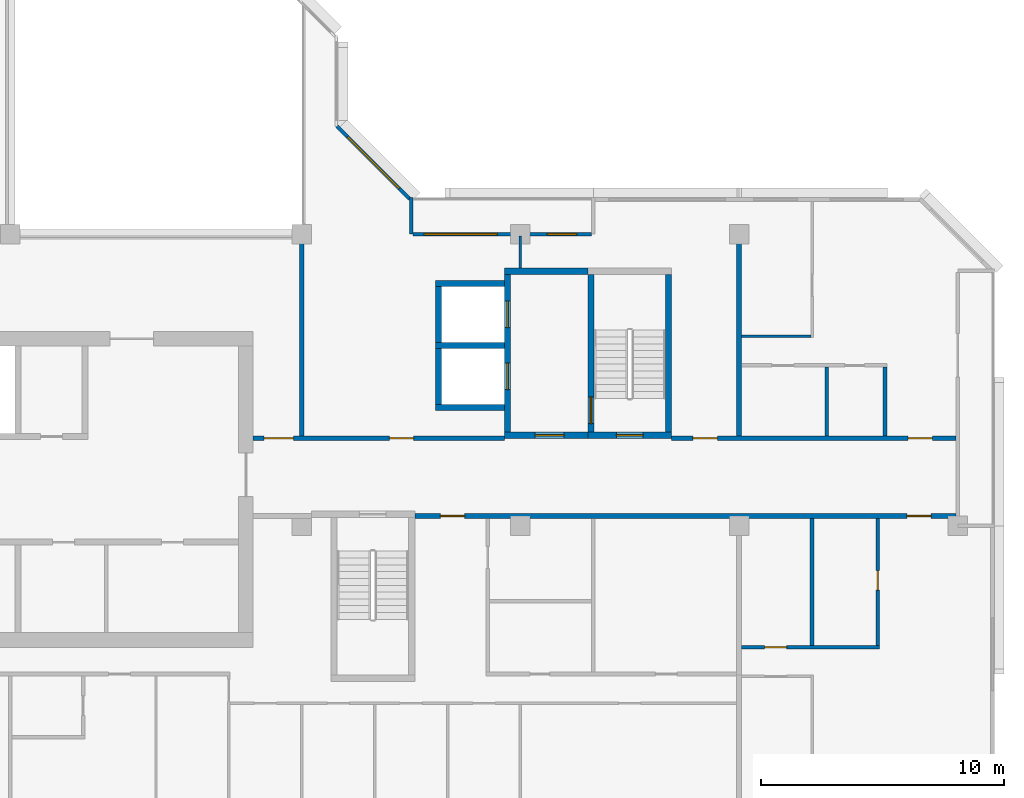
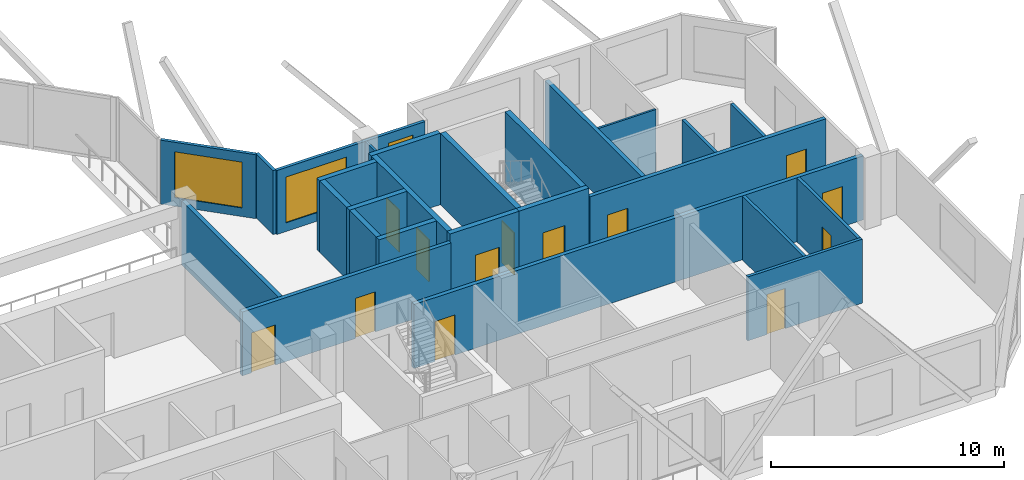
# One storey, part 7 of 13: 26 walls, 13 doors, 3 windows, 16 openings.
"""IFC4 building model written with IfcOpenShell, lengths in metres."""

from ifc_helpers import new_model, si_unit, direction, frame, frame_2d, origin, place, context, subcontext, project, spatial, rectangle, extrude, material, layer, layer_set, type_object, element, fill, save


model = new_model("IFC4")

# Units and contexts
model_context = context("Model", 3, precision=1e-05, world=origin(), true_north=direction((0.0, 1.0)))
body_context = subcontext(model_context, "Body", "Model", "MODEL_VIEW")
ifc_project = project(units=[si_unit("LENGTHUNIT", "METRE"), si_unit("AREAUNIT", "SQUARE_METRE"), si_unit("VOLUMEUNIT", "CUBIC_METRE"), si_unit("PLANEANGLEUNIT", "RADIAN"), si_unit("MASSUNIT", "GRAM", prefix="KILO")], contexts=[model_context])

# Site, building, storey
site_placement = place(None, origin())
site = spatial("IfcSite", under=ifc_project, at=site_placement, CompositionType="ELEMENT")
building_placement = place(site_placement, origin())
building = spatial("IfcBuilding", under=site, at=building_placement, Name="Chenar Terraces", CompositionType="ELEMENT")
storey_placement = place(building_placement, frame((0.0, 0.0, 295.89990234375)))
storey = spatial("IfcBuildingStorey", under=building, at=storey_placement, Name="L69", CompositionType="ELEMENT", Elevation=295.89990234375)

# Wall, opening, door
ifc_material_1 = material(Name="Concrete C50/60", Category="concrete")
ifc_layer_1 = layer(ifc_material_1, 0.25)
ifc_layer_set_1 = layer_set([ifc_layer_1], Name="Concrete C50/60")
wall_type_1 = type_object("IfcWallType", Name="Core wall 250 Concrete C50/60", PredefinedType="SHEAR", material=ifc_layer_set_1)
wall_1_placement = place(storey_placement, frame((47.77490234375, 15.72509765625, 0.0), z_axis=(0.0, 0.0, 1.0), x_axis=(1.0, 0.0, 0.0)))
wall_1 = element("IfcWall", 1, at=wall_1_placement, inside=storey, type_object=wall_type_1, Name="Core wall ST3_S L69", PredefinedType="SHEAR", context=body_context, shape_type="SweptSolid", body=[
    extrude(rectangle(XDim=3.4501953125, YDim=0.25, at=frame_2d((1.72509765625, 0.0))), origin(), (0.0, 0.0, 1.0), 3.75),
])
opening_1_placement = place(wall_1_placement, frame((1.175048828125, 0.0, 0.0)))
opening_1 = element("IfcOpeningElement", 2, at=opening_1_placement, cuts=wall_1, Name="Opening DL69-C8", PredefinedType="OPENING", context=body_context, shape_type="SweptSolid", body=[
    extrude(rectangle(XDim=1.10009765625, YDim=2.199951171875, at=frame_2d((0.550048828125, 1.10009765625))), frame((0.0, 0.135009765625, 0.0), z_axis=(0.0, -1.0, 0.0), x_axis=(1.0, 0.0, 0.0)), (0.0, 0.0, 1.0), 0.27001953125),
])
ifc_material_2 = material(Name="Steel-framed fire-resisting door leaf", Category="steel")
door_type_1 = type_object("IfcDoorType", Name="Stair fire door FD60 1100 x 2200", OperationType="SINGLE_SWING_LEFT", PredefinedType="DOOR", material=ifc_material_2)
door_1_placement = place(opening_1_placement, frame((1.10009765625, 0.0, 0.0), z_axis=(0.0, 0.0, 1.0), x_axis=(-1.0, 0.0, 0.0)))
door_1 = element("IfcDoor", 3, at=door_1_placement, inside=storey, type_object=door_type_1, Name="Stair door DL69-C8", OperationType="SINGLE_SWING_LEFT", OverallHeight=2.199951171875, OverallWidth=1.10009765625, PredefinedType="DOOR", context=body_context, shape_type="SweptSolid", body=[
    extrude(rectangle(XDim=1.10009765625, YDim=2.199951171875, at=frame_2d((0.550048828125, 1.10009765625))), frame((0.0, 0.02490234375, 0.0), z_axis=(0.0, -1.0, 0.0), x_axis=(1.0, 0.0, 0.0)), (0.0, 0.0, 1.0), 0.050048828125),
])
fill(opening_1, door_1)

wall_2_placement = place(storey_placement, frame((47.89990234375, 15.85009765625, 0.0), z_axis=(0.0, 0.0, 1.0), x_axis=(0.0, 1.0, 0.0)))
wall_2 = element("IfcWall", 4, at=wall_2_placement, inside=storey, type_object=wall_type_1, Name="Core wall ST3_W L69", PredefinedType="SHEAR", context=body_context, shape_type="SweptSolid", body=[
    extrude(rectangle(XDim=6.5, YDim=0.25, at=frame_2d((3.25, 0.0))), origin(), (0.0, 0.0, 1.0), 3.75),
])
opening_2_placement = place(wall_2_placement, frame((0.35009765625, 0.0, 0.0)))
opening_2 = element("IfcOpeningElement", 5, at=opening_2_placement, cuts=wall_2, Name="Opening DL69-C11", PredefinedType="OPENING", context=body_context, shape_type="SweptSolid", body=[
    extrude(rectangle(XDim=1.10009765625, YDim=2.199951171875, at=frame_2d((0.550048828125, 1.10009765625))), frame((0.0, 0.135009765625, 0.0), z_axis=(0.0, -1.0, 0.0), x_axis=(1.0, 0.0, 0.0)), (0.0, 0.0, 1.0), 0.27001953125),
])
door_2_placement = place(opening_2_placement, frame((1.10009765625, 0.0, 0.0), z_axis=(0.0, 0.0, 1.0), x_axis=(-1.0, 0.0, 0.0)))
door_2 = element("IfcDoor", 6, at=door_2_placement, inside=storey, type_object=door_type_1, Name="Stair door DL69-C11", OperationType="SINGLE_SWING_RIGHT", OverallHeight=2.199951171875, OverallWidth=1.10009765625, PredefinedType="DOOR", context=body_context, shape_type="SweptSolid", body=[
    extrude(rectangle(XDim=1.10009765625, YDim=2.199951171875, at=frame_2d((0.550048828125, 1.10009765625))), frame((0.0, 0.02490234375, 0.0), z_axis=(0.0, -1.0, 0.0), x_axis=(1.0, 0.0, 0.0)), (0.0, 0.0, 1.0), 0.050048828125),
])
fill(opening_2, door_2)

# Wall
wall_3_placement = place(storey_placement, frame((51.10009765625, 15.85009765625, 0.0), z_axis=(0.0, 0.0, 1.0), x_axis=(0.0, 1.0, 0.0)))
element("IfcWall", 7, at=wall_3_placement, inside=storey, type_object=wall_type_1, Name="Core wall ST3_E L69", PredefinedType="SHEAR", context=body_context, shape_type="SweptSolid", body=[
    extrude(rectangle(XDim=6.5, YDim=0.25, at=frame_2d((3.25, 0.0))), origin(), (0.0, 0.0, 1.0), 3.75),
])

# Wall, opening, door
wall_4_placement = place(storey_placement, frame((44.35009765625, 15.72509765625, 0.0), z_axis=(0.0, 0.0, 1.0), x_axis=(1.0, 0.0, 0.0)))
wall_4 = element("IfcWall", 8, at=wall_4_placement, inside=storey, type_object=wall_type_1, Name="Core wall F3_LS L69", PredefinedType="SHEAR", context=body_context, shape_type="SweptSolid", body=[
    extrude(rectangle(XDim=3.4248046875, YDim=0.25, at=frame_2d((1.71240234375, 0.0))), origin(), (0.0, 0.0, 1.0), 3.75),
])
opening_3_placement = place(wall_4_placement, frame((1.25, 0.0, 0.0)))
opening_3 = element("IfcOpeningElement", 9, at=opening_3_placement, cuts=wall_4, Name="Opening DL69-C10", PredefinedType="OPENING", context=body_context, shape_type="SweptSolid", body=[
    extrude(rectangle(XDim=1.199951171875, YDim=2.199951171875, at=frame_2d((0.60009765625, 1.10009765625))), frame((0.0, 0.135009765625, 0.0), z_axis=(0.0, -1.0, 0.0), x_axis=(1.0, 0.0, 0.0)), (0.0, 0.0, 1.0), 0.27001953125),
])
ifc_material_3 = material(Name="Steel-framed fire-resisting door leaf", Category="steel")
door_type_2 = type_object("IfcDoorType", Name="Lobby fire door FD60 1200 x 2200", OperationType="SINGLE_SWING_LEFT", PredefinedType="DOOR", material=ifc_material_3)
door_3_placement = place(opening_3_placement, origin())
door_3 = element("IfcDoor", 10, at=door_3_placement, inside=storey, type_object=door_type_2, Name="Core door DL69-C10", OperationType="SINGLE_SWING_RIGHT", OverallHeight=2.199951171875, OverallWidth=1.199951171875, PredefinedType="DOOR", context=body_context, shape_type="SweptSolid", body=[
    extrude(rectangle(XDim=1.199951171875, YDim=2.199951171875, at=frame_2d((0.60009765625, 1.10009765625))), frame((0.0, 0.02490234375, 0.0), z_axis=(0.0, -1.0, 0.0), x_axis=(1.0, 0.0, 0.0)), (0.0, 0.0, 1.0), 0.050048828125),
])
fill(opening_3, door_3)

# Wall
wall_5_placement = place(storey_placement, frame((44.35009765625, 22.47509765625, 0.0), z_axis=(0.0, 0.0, 1.0), x_axis=(1.0, 0.0, 0.0)))
element("IfcWall", 11, at=wall_5_placement, inside=storey, type_object=wall_type_1, Name="Core wall F3_LN L69", PredefinedType="SHEAR", context=body_context, shape_type="SweptSolid", body=[
    extrude(rectangle(XDim=3.4248046875, YDim=0.25, at=frame_2d((1.71240234375, 0.0))), origin(), (0.0, 0.0, 1.0), 3.75),
])

# Wall, openings, doors
wall_6_placement = place(storey_placement, frame((44.47509765625, 15.85009765625, 0.0), z_axis=(0.0, 0.0, 1.0), x_axis=(0.0, 1.0, 0.0)))
wall_6 = element("IfcWall", 12, at=wall_6_placement, inside=storey, type_object=wall_type_1, Name="Core wall F3_LW L69", PredefinedType="SHEAR", context=body_context, shape_type="SweptSolid", body=[
    extrude(rectangle(XDim=6.5, YDim=0.25, at=frame_2d((3.25, 0.0))), origin(), (0.0, 0.0, 1.0), 3.75),
])
opening_4_placement = place(wall_6_placement, frame((1.75, 0.0, 0.0)))
opening_4 = element("IfcOpeningElement", 13, at=opening_4_placement, cuts=wall_6, Name="Opening DL69-LD8", PredefinedType="OPENING", context=body_context, shape_type="SweptSolid", body=[
    extrude(rectangle(XDim=1.10009765625, YDim=2.199951171875, at=frame_2d((0.550048828125, 1.10009765625))), frame((0.0, 0.135009765625, 0.0), z_axis=(0.0, -1.0, 0.0), x_axis=(1.0, 0.0, 0.0)), (0.0, 0.0, 1.0), 0.27001953125),
])
opening_5_placement = place(wall_6_placement, frame((4.300048828125, 0.0, 0.0)))
opening_5 = element("IfcOpeningElement", 14, at=opening_5_placement, cuts=wall_6, Name="Opening DL69-LD9", PredefinedType="OPENING", context=body_context, shape_type="SweptSolid", body=[
    extrude(rectangle(XDim=1.10009765625, YDim=2.199951171875, at=frame_2d((0.550048828125, 1.10009765625))), frame((0.0, 0.135009765625, 0.0), z_axis=(0.0, -1.0, 0.0), x_axis=(1.0, 0.0, 0.0)), (0.0, 0.0, 1.0), 0.27001953125),
])
ifc_material_4 = material(Name="Stainless steel", Category="steel")
door_type_3 = type_object("IfcDoorType", Name="Lift landing door 1100 x 2200 sliding", OperationType="DOUBLE_DOOR_SLIDING", PredefinedType="DOOR", material=ifc_material_4)
door_4_placement = place(opening_4_placement, origin())
door_4 = element("IfcDoor", 15, at=door_4_placement, inside=storey, type_object=door_type_3, Name="Landing door F3", OperationType="DOUBLE_DOOR_SLIDING", OverallHeight=2.199951171875, OverallWidth=1.10009765625, PredefinedType="DOOR", context=body_context, shape_type="SweptSolid", body=[
    extrude(rectangle(XDim=1.10009765625, YDim=2.199951171875, at=frame_2d((0.550048828125, 1.10009765625))), frame((0.0, 0.02490234375, 0.0), z_axis=(0.0, -1.0, 0.0), x_axis=(1.0, 0.0, 0.0)), (0.0, 0.0, 1.0), 0.050048828125),
])
fill(opening_4, door_4)
door_5_placement = place(opening_5_placement, origin())
door_5 = element("IfcDoor", 16, at=door_5_placement, inside=storey, type_object=door_type_3, Name="Landing door F4", OperationType="DOUBLE_DOOR_SLIDING", OverallHeight=2.199951171875, OverallWidth=1.10009765625, PredefinedType="DOOR", context=body_context, shape_type="SweptSolid", body=[
    extrude(rectangle(XDim=1.10009765625, YDim=2.199951171875, at=frame_2d((0.550048828125, 1.10009765625))), frame((0.0, 0.02490234375, 0.0), z_axis=(0.0, -1.0, 0.0), x_axis=(1.0, 0.0, 0.0)), (0.0, 0.0, 1.0), 0.050048828125),
])
fill(opening_5, door_5)

# Walls
for number, where, z_axis, x_axis, name in (
    (17, (41.5, 16.875, 0.0), (0.0, 0.0, 1.0), (1.0, 0.0, 0.0), "Core wall F3_SS L69"),
    (18, (41.5, 19.425048828125, 0.0), (0.0, 0.0, 1.0), (1.0, 0.0, 0.0), "Core wall F3_SM L69"),
    (19, (41.5, 21.97509765625, 0.0), (0.0, 0.0, 1.0), (1.0, 0.0, 0.0), "Core wall F4_SN L69"),
):
    element("IfcWall", number, at=place(storey_placement, frame(where, z_axis=z_axis, x_axis=x_axis)), inside=storey, type_object=wall_type_1, Name=name, PredefinedType="SHEAR", context=body_context, shape_type="SweptSolid", body=[
        extrude(rectangle(XDim=2.85009765625, YDim=0.25, at=frame_2d((1.425048828125, 0.0))), origin(), (0.0, 0.0, 1.0), 3.75),
    ])
for number, where, z_axis, x_axis, name in (
    (20, (41.625, 17.0, 0.0), (0.0, 0.0, 1.0), (0.0, 1.0, 0.0), "Core wall F3_SW L69"),
    (21, (41.625, 19.550048828125, 0.0), (0.0, 0.0, 1.0), (0.0, 1.0, 0.0), "Core wall F4_SW L69"),
):
    element("IfcWall", number, at=place(storey_placement, frame(where, z_axis=z_axis, x_axis=x_axis)), inside=storey, type_object=wall_type_1, Name=name, PredefinedType="SHEAR", context=body_context, shape_type="SweptSolid", body=[
        extrude(rectangle(XDim=2.300048828125, YDim=0.25, at=frame_2d((1.14990234375, 0.0))), origin(), (0.0, 0.0, 1.0), 3.75),
    ])

# Wall, openings, doors
ifc_material_5 = material(Name="Gypsum board on steel studs with fire boards", Category="steel")
ifc_layer_2 = layer(ifc_material_5, 0.199951171875)
ifc_layer_set_2 = layer_set([ifc_layer_2], Name="Gypsum board on steel studs with fire boards")
wall_type_2 = type_object("IfcWallType", Name="Corridor wall 200", PredefinedType="PARTITIONING", material=ifc_layer_set_2)
wall_7_placement = place(storey_placement, frame((34.0, 15.60009765625, 0.0), z_axis=(0.0, 0.0, 1.0), x_axis=(1.0, 0.0, 0.0)))
wall_7 = element("IfcWall", 22, at=wall_7_placement, inside=storey, type_object=wall_type_2, Name="Partition L69-052", PredefinedType="PARTITIONING", context=body_context, shape_type="SweptSolid", body=[
    extrude(rectangle(XDim=10.35009765625, YDim=0.199951171875, at=frame_2d((5.175048828125, 0.0))), origin(), (0.0, 0.0, 1.0), 3.35009765625),
])
opening_6_placement = place(wall_7_placement, frame((5.60009765625, 0.0, 0.0)))
opening_6 = element("IfcOpeningElement", 23, at=opening_6_placement, cuts=wall_7, Name="Opening DL69-3", PredefinedType="OPENING", context=body_context, shape_type="SweptSolid", body=[
    extrude(rectangle(XDim=1.0, YDim=2.10009765625, at=frame_2d((0.5, 1.050048828125))), frame((0.0, 0.10986328125, 0.0), z_axis=(0.0, -1.0, 0.0), x_axis=(1.0, 0.0, 0.0)), (0.0, 0.0, 1.0), 0.219970703125),
])
opening_7_placement = place(wall_7_placement, frame((0.449951171875, 0.0, 0.0)))
opening_7 = element("IfcOpeningElement", 24, at=opening_7_placement, cuts=wall_7, Name="Opening DL69-27", PredefinedType="OPENING", context=body_context, shape_type="SweptSolid", body=[
    extrude(rectangle(XDim=1.199951171875, YDim=2.10009765625, at=frame_2d((0.60009765625, 1.050048828125))), frame((0.0, 0.10986328125, 0.0), z_axis=(0.0, -1.0, 0.0), x_axis=(1.0, 0.0, 0.0)), (0.0, 0.0, 1.0), 0.219970703125),
])
ifc_material_6 = material(Name="Steel-framed fire-resisting door leaf", Category="steel")
door_type_4 = type_object("IfcDoorType", Name="Fire door FD60 1000 x 2100", OperationType="SINGLE_SWING_LEFT", PredefinedType="DOOR", material=ifc_material_6)
door_6_placement = place(opening_6_placement, origin())
door_6 = element("IfcDoor", 25, at=door_6_placement, inside=storey, type_object=door_type_4, Name="Door DL69-3", OperationType="SINGLE_SWING_RIGHT", OverallHeight=2.10009765625, OverallWidth=1.0, PredefinedType="DOOR", context=body_context, shape_type="SweptSolid", body=[
    extrude(rectangle(XDim=1.0, YDim=2.10009765625, at=frame_2d((0.5, 1.050048828125))), frame((0.0, 0.02490234375, 0.0), z_axis=(0.0, -1.0, 0.0), x_axis=(1.0, 0.0, 0.0)), (0.0, 0.0, 1.0), 0.050048828125),
])
fill(opening_6, door_6)
ifc_material_7 = material(Name="Steel-framed fire-resisting door leaf", Category="steel")
door_type_5 = type_object("IfcDoorType", Name="Fire door FD60 1200 x 2100", OperationType="SINGLE_SWING_LEFT", PredefinedType="DOOR", material=ifc_material_7)
door_7_placement = place(opening_7_placement, origin())
door_7 = element("IfcDoor", 26, at=door_7_placement, inside=storey, type_object=door_type_5, Name="Door DL69-27", OperationType="SINGLE_SWING_RIGHT", OverallHeight=2.10009765625, OverallWidth=1.199951171875, PredefinedType="DOOR", context=body_context, shape_type="SweptSolid", body=[
    extrude(rectangle(XDim=1.199951171875, YDim=2.10009765625, at=frame_2d((0.60009765625, 1.050048828125))), frame((0.0, 0.02490234375, 0.0), z_axis=(0.0, -1.0, 0.0), x_axis=(1.0, 0.0, 0.0)), (0.0, 0.0, 1.0), 0.050048828125),
])
fill(opening_7, door_7)

# Wall
wall_8_placement = place(storey_placement, frame((36.0, 15.699951171875, 0.0), z_axis=(0.0, 0.0, 1.0), x_axis=(0.0, 1.0, 0.0)))
element("IfcWall", 27, at=wall_8_placement, inside=storey, type_object=wall_type_2, Name="Partition L69-054", PredefinedType="PARTITIONING", context=body_context, shape_type="SweptSolid", body=[
    extrude(rectangle(XDim=8.300048828125, YDim=0.199951171875, at=frame_2d((4.14990234375, 0.0))), origin(), (0.0, 0.0, 1.0), 3.35009765625),
])

# Wall, openings, doors
wall_9_placement = place(storey_placement, frame((40.64990234375, 12.39990234375, 0.0), z_axis=(0.0, 0.0, 1.0), x_axis=(1.0, 0.0, 0.0)))
wall_9 = element("IfcWall", 28, at=wall_9_placement, inside=storey, type_object=wall_type_2, Name="Partition L69-056", PredefinedType="PARTITIONING", context=body_context, shape_type="SweptSolid", body=[
    extrude(rectangle(XDim=22.276123046875, YDim=0.199951171875, at=frame_2d((11.13818359375, 0.0))), origin(), (0.0, 0.0, 1.0), 3.35009765625),
])
opening_8_placement = place(wall_9_placement, frame((20.25, 0.0, 0.0)))
opening_8 = element("IfcOpeningElement", 29, at=opening_8_placement, cuts=wall_9, Name="Opening DL69-11", PredefinedType="OPENING", context=body_context, shape_type="SweptSolid", body=[
    extrude(rectangle(XDim=1.0, YDim=2.10009765625, at=frame_2d((0.5, 1.050048828125))), frame((0.0, 0.10986328125, 0.0), z_axis=(0.0, -1.0, 0.0), x_axis=(1.0, 0.0, 0.0)), (0.0, 0.0, 1.0), 0.219970703125),
])
opening_9_placement = place(wall_9_placement, frame((1.050048828125, 0.0, 0.0)))
opening_9 = element("IfcOpeningElement", 30, at=opening_9_placement, cuts=wall_9, Name="Opening DL69-43", PredefinedType="OPENING", context=body_context, shape_type="SweptSolid", body=[
    extrude(rectangle(XDim=1.0, YDim=2.10009765625, at=frame_2d((0.5, 1.050048828125))), frame((0.0, 0.10986328125, 0.0), z_axis=(0.0, -1.0, 0.0), x_axis=(1.0, 0.0, 0.0)), (0.0, 0.0, 1.0), 0.219970703125),
])
ifc_material_8 = material(Name="Steel-framed fire-resisting door leaf", Category="steel")
door_type_6 = type_object("IfcDoorType", Name="Fire door FD30S 1000 x 2100", OperationType="SINGLE_SWING_LEFT", PredefinedType="DOOR", material=ifc_material_8)
door_8_placement = place(opening_8_placement, frame((1.0, 0.0, 0.0), z_axis=(0.0, 0.0, 1.0), x_axis=(-1.0, 0.0, 0.0)))
door_8 = element("IfcDoor", 31, at=door_8_placement, inside=storey, type_object=door_type_6, Name="Door DL69-11", OperationType="SINGLE_SWING_LEFT", OverallHeight=2.10009765625, OverallWidth=1.0, PredefinedType="DOOR", context=body_context, shape_type="SweptSolid", body=[
    extrude(rectangle(XDim=1.0, YDim=2.10009765625, at=frame_2d((0.5, 1.050048828125))), frame((0.0, 0.02490234375, 0.0), z_axis=(0.0, -1.0, 0.0), x_axis=(1.0, 0.0, 0.0)), (0.0, 0.0, 1.0), 0.050048828125),
])
fill(opening_8, door_8)
door_9_placement = place(opening_9_placement, origin())
door_9 = element("IfcDoor", 32, at=door_9_placement, inside=storey, type_object=door_type_6, Name="Door DL69-43", OperationType="SINGLE_SWING_LEFT", OverallHeight=2.10009765625, OverallWidth=1.0, PredefinedType="DOOR", context=body_context, shape_type="SweptSolid", body=[
    extrude(rectangle(XDim=1.0, YDim=2.10009765625, at=frame_2d((0.5, 1.050048828125))), frame((0.0, 0.02490234375, 0.0), z_axis=(0.0, -1.0, 0.0), x_axis=(1.0, 0.0, 0.0)), (0.0, 0.0, 1.0), 0.050048828125),
])
fill(opening_9, door_9)

wall_10_placement = place(storey_placement, frame((51.22509765625, 15.60009765625, 0.0), z_axis=(0.0, 0.0, 1.0), x_axis=(1.0, 0.0, 0.0)))
wall_10 = element("IfcWall", 33, at=wall_10_placement, inside=storey, type_object=wall_type_2, Name="Partition L69-064", PredefinedType="PARTITIONING", context=body_context, shape_type="SweptSolid", body=[
    extrude(rectangle(XDim=11.700927734375, YDim=0.199951171875, at=frame_2d((5.8505859375, 0.0))), origin(), (0.0, 0.0, 1.0), 3.35009765625),
])
opening_10_placement = place(wall_10_placement, frame((9.72509765625, 0.0, 0.0)))
opening_10 = element("IfcOpeningElement", 34, at=opening_10_placement, cuts=wall_10, Name="Opening DL69-7", PredefinedType="OPENING", context=body_context, shape_type="SweptSolid", body=[
    extrude(rectangle(XDim=1.0, YDim=2.10009765625, at=frame_2d((0.5, 1.050048828125))), frame((0.0, 0.10986328125, 0.0), z_axis=(0.0, -1.0, 0.0), x_axis=(1.0, 0.0, 0.0)), (0.0, 0.0, 1.0), 0.219970703125),
])
opening_11_placement = place(wall_10_placement, frame((0.875, 0.0, 0.0)))
opening_11 = element("IfcOpeningElement", 35, at=opening_11_placement, cuts=wall_10, Name="Opening DL69-30", PredefinedType="OPENING", context=body_context, shape_type="SweptSolid", body=[
    extrude(rectangle(XDim=1.0, YDim=2.10009765625, at=frame_2d((0.5, 1.050048828125))), frame((0.0, 0.10986328125, 0.0), z_axis=(0.0, -1.0, 0.0), x_axis=(1.0, 0.0, 0.0)), (0.0, 0.0, 1.0), 0.219970703125),
])
door_10_placement = place(opening_10_placement, origin())
door_10 = element("IfcDoor", 36, at=door_10_placement, inside=storey, type_object=door_type_6, Name="Door DL69-7", OperationType="SINGLE_SWING_LEFT", OverallHeight=2.10009765625, OverallWidth=1.0, PredefinedType="DOOR", context=body_context, shape_type="SweptSolid", body=[
    extrude(rectangle(XDim=1.0, YDim=2.10009765625, at=frame_2d((0.5, 1.050048828125))), frame((0.0, 0.02490234375, 0.0), z_axis=(0.0, -1.0, 0.0), x_axis=(1.0, 0.0, 0.0)), (0.0, 0.0, 1.0), 0.050048828125),
])
fill(opening_10, door_10)
door_11_placement = place(opening_11_placement, origin())
door_11 = element("IfcDoor", 37, at=door_11_placement, inside=storey, type_object=door_type_6, Name="Door DL69-30", OperationType="SINGLE_SWING_RIGHT", OverallHeight=2.10009765625, OverallWidth=1.0, PredefinedType="DOOR", context=body_context, shape_type="SweptSolid", body=[
    extrude(rectangle(XDim=1.0, YDim=2.10009765625, at=frame_2d((0.5, 1.050048828125))), frame((0.0, 0.02490234375, 0.0), z_axis=(0.0, -1.0, 0.0), x_axis=(1.0, 0.0, 0.0)), (0.0, 0.0, 1.0), 0.050048828125),
])
fill(opening_11, door_11)

# Wall, openings, windows
ifc_material_9 = material(Name="Aluminium framed glazing", Category="aluminium")
ifc_layer_3 = layer(ifc_material_9, 0.14990234375)
ifc_layer_set_3 = layer_set([ifc_layer_3], Name="Aluminium framed glazing")
wall_type_3 = type_object("IfcWallType", Name="Glazed loggia back wall 150", PredefinedType="SOLIDWALL", material=ifc_layer_set_3)
wall_11_placement = place(storey_placement, frame((47.925048828125, 24.0, 0.0), z_axis=(0.0, 0.0, 1.0), x_axis=(-1.0, 0.0, 0.0)))
wall_11 = element("IfcWall", 38, at=wall_11_placement, inside=storey, type_object=wall_type_3, Name="Glazed loggia back wall", PredefinedType="SOLIDWALL", context=body_context, shape_type="SweptSolid", body=[
    extrude(rectangle(XDim=7.35009765625, YDim=0.14990234375, at=frame_2d((3.675048828125, 0.0))), origin(), (0.0, 0.0, 1.0), 3.35009765625),
])
opening_12_placement = place(wall_11_placement, frame((0.612548828125, 0.0, 0.449951171875)))
opening_12 = element("IfcOpeningElement", 39, at=opening_12_placement, cuts=wall_11, Name="Opening W120x240", PredefinedType="OPENING", context=body_context, shape_type="SweptSolid", body=[
    extrude(rectangle(XDim=1.199951171875, YDim=2.39990234375, at=frame_2d((0.60009765625, 1.199951171875))), frame((0.0, 0.0849609375, 0.0), z_axis=(0.0, -1.0, 0.0), x_axis=(1.0, 0.0, 0.0)), (0.0, 0.0, 1.0), 0.169921875),
])
opening_13_placement = place(wall_11_placement, frame((3.887451171875, 0.0, 0.449951171875)))
opening_13 = element("IfcOpeningElement", 40, at=opening_13_placement, cuts=wall_11, Name="Opening W300x240", PredefinedType="OPENING", context=body_context, shape_type="SweptSolid", body=[
    extrude(rectangle(XDim=3.0, YDim=2.39990234375, at=frame_2d((1.5, 1.199951171875))), frame((0.0, 0.0849609375, 0.0), z_axis=(0.0, -1.0, 0.0), x_axis=(1.0, 0.0, 0.0)), (0.0, 0.0, 1.0), 0.169921875),
])
ifc_material_10 = material(Name="Low emissivity double glazing, aluminium frame", Category="aluminium")
window_type_1 = type_object("IfcWindowType", Name="Fixed light 1200 x 2400", PartitioningType="SINGLE_PANEL", PredefinedType="WINDOW", material=ifc_material_10)
window_1_placement = place(opening_12_placement, origin())
window_1 = element("IfcWindow", 41, at=window_1_placement, inside=storey, type_object=window_type_1, Name="Window", OverallHeight=2.39990234375, OverallWidth=1.199951171875, PartitioningType="SINGLE_PANEL", PredefinedType="WINDOW", context=body_context, shape_type="SweptSolid", body=[
    extrude(rectangle(XDim=1.199951171875, YDim=2.39990234375, at=frame_2d((0.60009765625, 1.199951171875))), frame((0.0, 0.030029296875, 0.0), z_axis=(0.0, -1.0, 0.0), x_axis=(1.0, 0.0, 0.0)), (0.0, 0.0, 1.0), 0.06005859375),
])
fill(opening_12, window_1)
ifc_material_11 = material(Name="Low emissivity double glazing, aluminium frame", Category="aluminium")
window_type_2 = type_object("IfcWindowType", Name="Fixed light 3000 x 2400", PartitioningType="SINGLE_PANEL", PredefinedType="WINDOW", material=ifc_material_11)
window_2_placement = place(opening_13_placement, origin())
window_2 = element("IfcWindow", 42, at=window_2_placement, inside=storey, type_object=window_type_2, Name="Window", OverallHeight=2.39990234375, OverallWidth=3.0, PartitioningType="SINGLE_PANEL", PredefinedType="WINDOW", context=body_context, shape_type="SweptSolid", body=[
    extrude(rectangle(XDim=3.0, YDim=2.39990234375, at=frame_2d((1.5, 1.199951171875))), frame((0.0, 0.030029296875, 0.0), z_axis=(0.0, -1.0, 0.0), x_axis=(1.0, 0.0, 0.0)), (0.0, 0.0, 1.0), 0.06005859375),
])
fill(opening_13, window_2)

# Walls
ifc_material_12 = material(Name="Gypsum board on steel studs", Category="steel")
ifc_layer_4 = layer(ifc_material_12, 0.10009765625)
ifc_layer_set_4 = layer_set([ifc_layer_4], Name="Gypsum board on steel studs")
wall_type_4 = type_object("IfcWallType", Name="Gypsum partition 100", PredefinedType="PARTITIONING", material=ifc_layer_set_4)
wall_12_placement = place(storey_placement, frame((45.0, 22.60009765625, 0.0), z_axis=(0.0, 0.0, 1.0), x_axis=(0.0, 1.0, 0.0)))
element("IfcWall", 43, at=wall_12_placement, inside=storey, type_object=wall_type_4, Name="Partition L69-062", PredefinedType="PARTITIONING", context=body_context, shape_type="SweptSolid", body=[
    extrude(rectangle(XDim=1.325927734375, YDim=0.10009765625, at=frame_2d((0.6630859375, 0.0))), origin(), (0.0, 0.0, 1.0), 3.35009765625),
])
wall_13_placement = place(storey_placement, frame((54.10009765625, 19.800048828125, 0.0), z_axis=(0.0, 0.0, 1.0), x_axis=(1.0, 0.0, 0.0)))
element("IfcWall", 44, at=wall_13_placement, inside=storey, type_object=wall_type_4, Name="Partition L69-071", PredefinedType="PARTITIONING", context=body_context, shape_type="SweptSolid", body=[
    extrude(rectangle(XDim=2.849853515625, YDim=0.10009765625, at=frame_2d((1.4248046875, 0.0))), origin(), (0.0, 0.0, 1.0), 3.35009765625),
])
ifc_material_13 = material(Name="Terracotta cladding on insulated backing", Category="masonry")
ifc_layer_5 = layer(ifc_material_13, 0.14990234375)
ifc_layer_set_5 = layer_set([ifc_layer_5], Name="Terracotta cladding on insulated backing")
wall_type_5 = type_object("IfcWallType", Name="Loggia return wall 150", PredefinedType="SOLIDWALL", material=ifc_layer_set_5)
wall_14_placement = place(storey_placement, frame((40.5, 25.5, 0.0), z_axis=(0.0, 0.0, 1.0), x_axis=(0.0, -1.0, 0.0)))
element("IfcWall", 45, at=wall_14_placement, inside=storey, type_object=wall_type_5, Name="Loggia return wall", PredefinedType="SOLIDWALL", context=body_context, shape_type="SweptSolid", body=[
    extrude(rectangle(XDim=1.5, YDim=0.14990234375, at=frame_2d((0.75, 0.0))), origin(), (0.0, 0.0, 1.0), 3.35009765625),
])

# Wall, opening, window
ifc_material_14 = material(Name="Terracotta cladding on insulated backing", Category="masonry")
ifc_layer_6 = layer(ifc_material_14, 0.14990234375)
ifc_layer_set_6 = layer_set([ifc_layer_6], Name="Terracotta cladding on insulated backing")
wall_type_6 = type_object("IfcWallType", Name="Terracotta rainscreen wall 150", PredefinedType="SOLIDWALL", material=ifc_layer_set_6)
wall_15_placement = place(storey_placement, frame((40.447021484375, 25.447021484375, 0.0), z_axis=(0.0, 0.0, 1.0), x_axis=(-0.707106781187, 0.707106781187, 0.0)))
wall_15 = element("IfcWall", 46, at=wall_15_placement, inside=storey, type_object=wall_type_6, Name="Terracotta rainscreen wall", PredefinedType="SOLIDWALL", context=body_context, shape_type="SweptSolid", body=[
    extrude(rectangle(XDim=4.24267578125, YDim=0.14990234375, at=frame_2d((2.121337890625, 0.0))), origin(), (0.0, 0.0, 1.0), 3.35009765625),
])
opening_14_placement = place(wall_15_placement, frame((0.621337890625, 0.0, 0.449951171875)))
opening_14 = element("IfcOpeningElement", 47, at=opening_14_placement, cuts=wall_15, Name="Opening W300x240", PredefinedType="OPENING", context=body_context, shape_type="SweptSolid", body=[
    extrude(rectangle(XDim=3.0, YDim=2.39990234375, at=frame_2d((1.5, 1.199951171875))), frame((0.0, 0.0849609375, 0.0), z_axis=(0.0, -1.0, 0.0), x_axis=(1.0, 0.0, 0.0)), (0.0, 0.0, 1.0), 0.169921875),
])
window_3_placement = place(opening_14_placement, origin())
window_3 = element("IfcWindow", 48, at=window_3_placement, inside=storey, type_object=window_type_2, Name="Window", OverallHeight=2.39990234375, OverallWidth=3.0, PartitioningType="SINGLE_PANEL", PredefinedType="WINDOW", context=body_context, shape_type="SweptSolid", body=[
    extrude(rectangle(XDim=3.0, YDim=2.39990234375, at=frame_2d((1.5, 1.199951171875))), frame((0.0, 0.030029296875, 0.0), z_axis=(0.0, -1.0, 0.0), x_axis=(1.0, 0.0, 0.0)), (0.0, 0.0, 1.0), 0.06005859375),
])
fill(opening_14, window_3)

# Wall
ifc_material_15 = material(Name="Twin gypsum board on steel studs with mineral wool", Category="steel")
ifc_layer_7 = layer(ifc_material_15, 0.199951171875)
ifc_layer_set_7 = layer_set([ifc_layer_7], Name="Twin gypsum board on steel studs with mineral wool")
wall_type_7 = type_object("IfcWallType", Name="Unit demising wall 200", PredefinedType="PARTITIONING", material=ifc_layer_set_7)
wall_16_placement = place(storey_placement, frame((54.0, 15.699951171875, 0.0), z_axis=(0.0, 0.0, 1.0), x_axis=(0.0, 1.0, 0.0)))
element("IfcWall", 49, at=wall_16_placement, inside=storey, type_object=wall_type_7, Name="Partition L69-067", PredefinedType="PARTITIONING", context=body_context, shape_type="SweptSolid", body=[
    extrude(rectangle(XDim=8.300048828125, YDim=0.199951171875, at=frame_2d((4.14990234375, 0.0))), origin(), (0.0, 0.0, 1.0), 3.35009765625),
])

# Wall, opening, door
ifc_material_16 = material(Name="Moisture-resistant gypsum board on steel studs", Category="steel")
ifc_layer_8 = layer(ifc_material_16, 0.14990234375)
ifc_layer_set_8 = layer_set([ifc_layer_8], Name="Moisture-resistant gypsum board on steel studs")
wall_type_8 = type_object("IfcWallType", Name="Wet-room partition 150", PredefinedType="PARTITIONING", material=ifc_layer_set_8)
wall_17_placement = place(storey_placement, frame((54.10009765625, 7.0, 0.0), z_axis=(0.0, 0.0, 1.0), x_axis=(1.0, 0.0, 0.0)))
wall_17 = element("IfcWall", 50, at=wall_17_placement, inside=storey, type_object=wall_type_8, Name="Partition L69-069", PredefinedType="PARTITIONING", context=body_context, shape_type="SweptSolid", body=[
    extrude(rectangle(XDim=5.6748046875, YDim=0.14990234375, at=frame_2d((2.83740234375, 0.0))), origin(), (0.0, 0.0, 1.0), 3.35009765625),
])
opening_15_placement = place(wall_17_placement, frame((0.949951171875, 0.0, 0.0)))
opening_15 = element("IfcOpeningElement", 51, at=opening_15_placement, cuts=wall_17, Name="Opening DL69-10", PredefinedType="OPENING", context=body_context, shape_type="SweptSolid", body=[
    extrude(rectangle(XDim=0.89990234375, YDim=2.10009765625, at=frame_2d((0.449951171875, 1.050048828125))), frame((0.0, 0.0849609375, 0.0), z_axis=(0.0, -1.0, 0.0), x_axis=(1.0, 0.0, 0.0)), (0.0, 0.0, 1.0), 0.169921875),
])
ifc_material_17 = material(Name="Veneered timber door leaf", Category="wood")
door_type_7 = type_object("IfcDoorType", Name="Door 900 x 2100", OperationType="SINGLE_SWING_LEFT", PredefinedType="DOOR", material=ifc_material_17)
door_12_placement = place(opening_15_placement, origin())
door_12 = element("IfcDoor", 52, at=door_12_placement, inside=storey, type_object=door_type_7, Name="Door DL69-10", OperationType="SINGLE_SWING_RIGHT", OverallHeight=2.10009765625, OverallWidth=0.89990234375, PredefinedType="DOOR", context=body_context, shape_type="SweptSolid", body=[
    extrude(rectangle(XDim=0.89990234375, YDim=2.10009765625, at=frame_2d((0.449951171875, 1.050048828125))), frame((0.0, 0.02490234375, 0.0), z_axis=(0.0, -1.0, 0.0), x_axis=(1.0, 0.0, 0.0)), (0.0, 0.0, 1.0), 0.050048828125),
])
fill(opening_15, door_12)

# Walls
wall_18_placement = place(storey_placement, frame((57.0, 7.074951171875, 0.0), z_axis=(0.0, 0.0, 1.0), x_axis=(0.0, 1.0, 0.0)))
element("IfcWall", 53, at=wall_18_placement, inside=storey, type_object=wall_type_8, Name="Partition L69-073", PredefinedType="PARTITIONING", context=body_context, shape_type="SweptSolid", body=[
    extrude(rectangle(XDim=5.22509765625, YDim=0.14990234375, at=frame_2d((2.612548828125, 0.0))), origin(), (0.0, 0.0, 1.0), 3.35009765625),
])
wall_19_placement = place(storey_placement, frame((57.60009765625, 15.699951171875, 0.0), z_axis=(0.0, 0.0, 1.0), x_axis=(0.0, 1.0, 0.0)))
element("IfcWall", 54, at=wall_19_placement, inside=storey, type_object=wall_type_8, Name="Partition L69-075", PredefinedType="PARTITIONING", context=body_context, shape_type="SweptSolid", body=[
    extrude(rectangle(XDim=2.824951171875, YDim=0.14990234375, at=frame_2d((1.41259765625, 0.0))), origin(), (0.0, 0.0, 1.0), 3.35009765625),
])

# Wall, opening, door
wall_20_placement = place(storey_placement, frame((59.699951171875, 7.074951171875, 0.0), z_axis=(0.0, 0.0, 1.0), x_axis=(0.0, 1.0, 0.0)))
wall_20 = element("IfcWall", 55, at=wall_20_placement, inside=storey, type_object=wall_type_8, Name="Partition L69-076", PredefinedType="PARTITIONING", context=body_context, shape_type="SweptSolid", body=[
    extrude(rectangle(XDim=5.22509765625, YDim=0.14990234375, at=frame_2d((2.612548828125, 0.0))), origin(), (0.0, 0.0, 1.0), 3.35009765625),
])
opening_16_placement = place(wall_20_placement, frame((2.27490234375, 0.0, 0.0)))
opening_16 = element("IfcOpeningElement", 56, at=opening_16_placement, cuts=wall_20, Name="Opening DL69-8", PredefinedType="OPENING", context=body_context, shape_type="SweptSolid", body=[
    extrude(rectangle(XDim=0.800048828125, YDim=2.10009765625, at=frame_2d((0.39990234375, 1.050048828125))), frame((0.0, 0.0849609375, 0.0), z_axis=(0.0, -1.0, 0.0), x_axis=(1.0, 0.0, 0.0)), (0.0, 0.0, 1.0), 0.169921875),
])
ifc_material_18 = material(Name="Veneered timber door leaf", Category="wood")
door_type_8 = type_object("IfcDoorType", Name="Door 800 x 2100", OperationType="SINGLE_SWING_LEFT", PredefinedType="DOOR", material=ifc_material_18)
door_13_placement = place(opening_16_placement, origin())
door_13 = element("IfcDoor", 57, at=door_13_placement, inside=storey, type_object=door_type_8, Name="Door DL69-8", OperationType="SINGLE_SWING_LEFT", OverallHeight=2.10009765625, OverallWidth=0.800048828125, PredefinedType="DOOR", context=body_context, shape_type="SweptSolid", body=[
    extrude(rectangle(XDim=0.800048828125, YDim=2.10009765625, at=frame_2d((0.39990234375, 1.050048828125))), frame((0.0, 0.02490234375, 0.0), z_axis=(0.0, -1.0, 0.0), x_axis=(1.0, 0.0, 0.0)), (0.0, 0.0, 1.0), 0.050048828125),
])
fill(opening_16, door_13)

# Wall
wall_21_placement = place(storey_placement, frame((60.0, 15.699951171875, 0.0), z_axis=(0.0, 0.0, 1.0), x_axis=(0.0, 1.0, 0.0)))
element("IfcWall", 58, at=wall_21_placement, inside=storey, type_object=wall_type_8, Name="Partition L69-077", PredefinedType="PARTITIONING", context=body_context, shape_type="SweptSolid", body=[
    extrude(rectangle(XDim=2.824951171875, YDim=0.14990234375, at=frame_2d((1.41259765625, 0.0))), origin(), (0.0, 0.0, 1.0), 3.35009765625),
])

save(model, "model.ifc")
